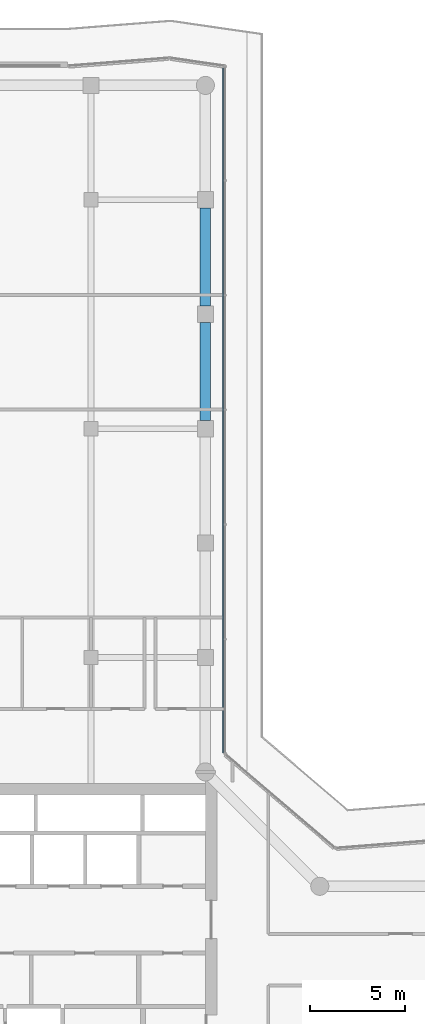
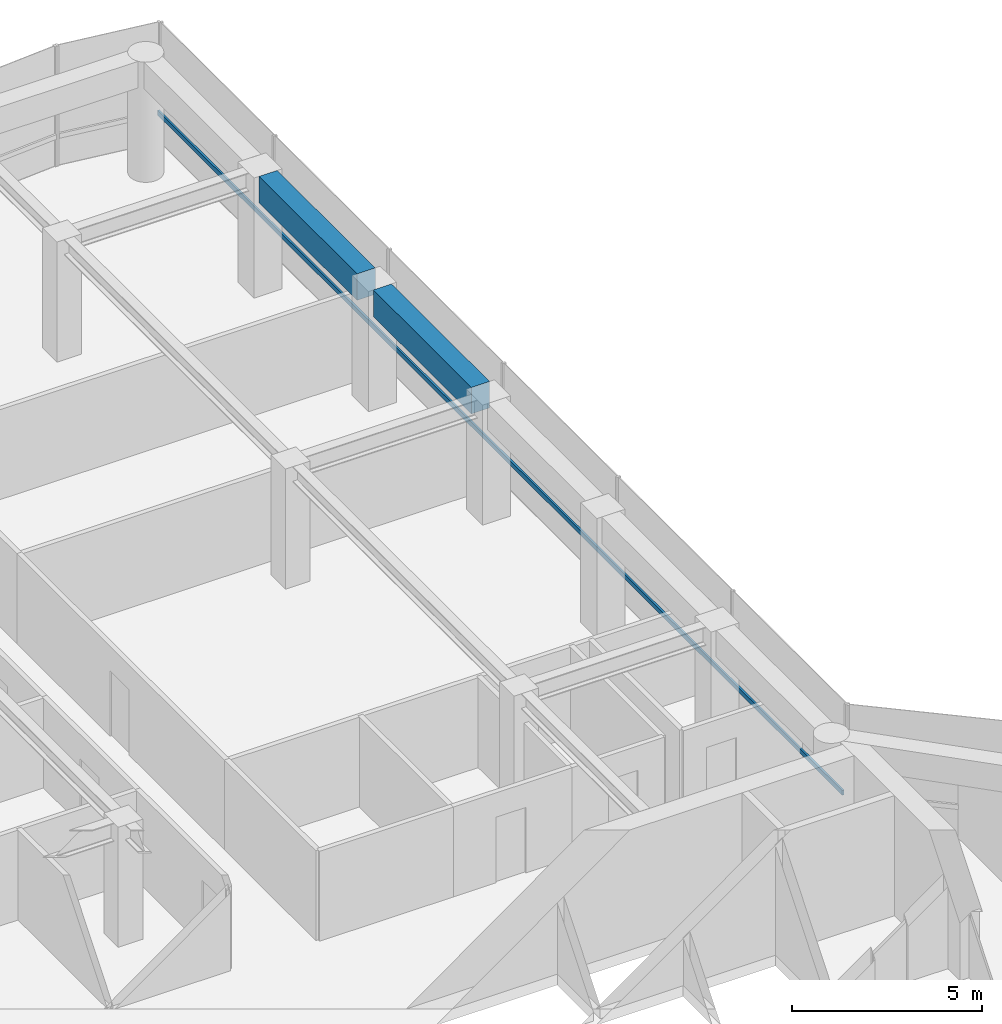
# One storey, part 15 of 23: 2 beams, 1 member, 1 element without a shape of its own.
"""IFC4 building model written with IfcOpenShell, lengths in metres."""

from ifc_helpers import new_model, si_unit, direction, frame, origin, origin_2d, place, context, subcontext, project, spatial, rectangle, extrude, material, layer, layer_set, material_profile, profile_set, type_object, element, aggregate, save


model = new_model("IFC4")

# Units and contexts
model_context = context("Model", 3, precision=1e-05, world=origin(), true_north=direction((0.0, 1.0)))
body_context = subcontext(model_context, "Body", "Model", "MODEL_VIEW")
ifc_project = project(units=[si_unit("LENGTHUNIT", "METRE"), si_unit("AREAUNIT", "SQUARE_METRE"), si_unit("VOLUMEUNIT", "CUBIC_METRE"), si_unit("PLANEANGLEUNIT", "RADIAN"), si_unit("MASSUNIT", "GRAM", prefix="KILO")], contexts=[model_context])

# Site, building, storey
site_placement = place(None, origin())
site = spatial("IfcSite", under=ifc_project, at=site_placement, CompositionType="ELEMENT")
building_placement = place(site_placement, origin())
building = spatial("IfcBuilding", under=site, at=building_placement, Name="Welwitschia Terrace Campus", CompositionType="ELEMENT")
storey_placement = place(building_placement, frame((0.0, 0.0, 188.60009765625)))
storey = spatial("IfcBuildingStorey", under=building, at=storey_placement, Name="L42", CompositionType="ELEMENT", Elevation=188.60009765625)

# Beams
ifc_material_1 = material(Name="Concrete C50/60", Category="concrete")
ifc_material_profile_1 = material_profile(ifc_material_1, rectangle(XDim=0.550048828125, YDim=0.85009765625, at=origin_2d()))
ifc_profile_set_1 = profile_set([ifc_material_profile_1], Name="Concrete C50/60")
beam_type = type_object("IfcBeamType", Name="Ring spandrel 550x850", PredefinedType="SPANDREL", material=ifc_profile_set_1)
for number, where, z_axis, x_axis, name in (
    (1, (24.0, 44.425537109375, 3.4248046875), (0.0, 1.0, 0.0), (-1.0, 0.0, 0.0), "Spandrel SP3"),
    (2, (24.0, 50.425537109375, 3.4248046875), (0.0, 1.0, 0.0), (-1.0, 0.0, 0.0), "Spandrel SP3"),
):
    element("IfcBeam", number, at=place(storey_placement, frame(where, z_axis=z_axis, x_axis=x_axis)), inside=storey, type_object=beam_type, Name=name, PredefinedType="SPANDREL", context=body_context, shape_type="SweptSolid", body=[
        extrude(rectangle(XDim=0.550048828125, YDim=0.85009765625, at=origin_2d()), origin(), (0.0, 0.0, 1.0), 5.14892578125),
    ])

# Curtain wall, member
ifc_material_2 = material(Name="Bronze anodised aluminium", Category="aluminium")
ifc_layer = layer(ifc_material_2, 0.1201171875)
ifc_layer_set = layer_set([ifc_layer], Name="Bronze anodised aluminium")
curtain_wall_type = type_object("IfcCurtainWallType", Name="Curtain wall CW2 tower 6000", PredefinedType="NOTDEFINED", material=ifc_layer_set)
curtain_wall_placement = place(storey_placement, origin())
curtain_wall = element("IfcCurtainWall", 3, at=curtain_wall_placement, inside=storey, type_object=curtain_wall_type, Name="CW L42.9.0", PredefinedType="NOTDEFINED")
ifc_material_3 = material(Name="Bronze anodised aluminium", Category="aluminium")
ifc_material_profile_2 = material_profile(ifc_material_3, rectangle(XDim=0.06005859375, YDim=0.14990234375, at=origin_2d()))
ifc_profile_set_2 = profile_set([ifc_material_profile_2], Name="Bronze anodised aluminium")
member_type = type_object("IfcMemberType", Name="Transom 60x150", PredefinedType="USERDEFINED", material=ifc_profile_set_2)
member_placement = place(storey_placement, frame((24.93994140625, 27.005126953125, 1.0), z_axis=(0.0, 1.0, 0.0), x_axis=(-1.0, 0.0, 0.0)))
member = element("IfcMember", 4, at=member_placement, type_object=member_type, Name="Transom L42.9.0", ObjectType="TRANSOM", PredefinedType="USERDEFINED", context=body_context, shape_type="SweptSolid", body=[
    extrude(rectangle(XDim=0.06005859375, YDim=0.14990234375, at=origin_2d()), origin(), (0.0, 0.0, 1.0), 35.9609375),
])
aggregate(curtain_wall, [member])

save(model, "model.ifc")
